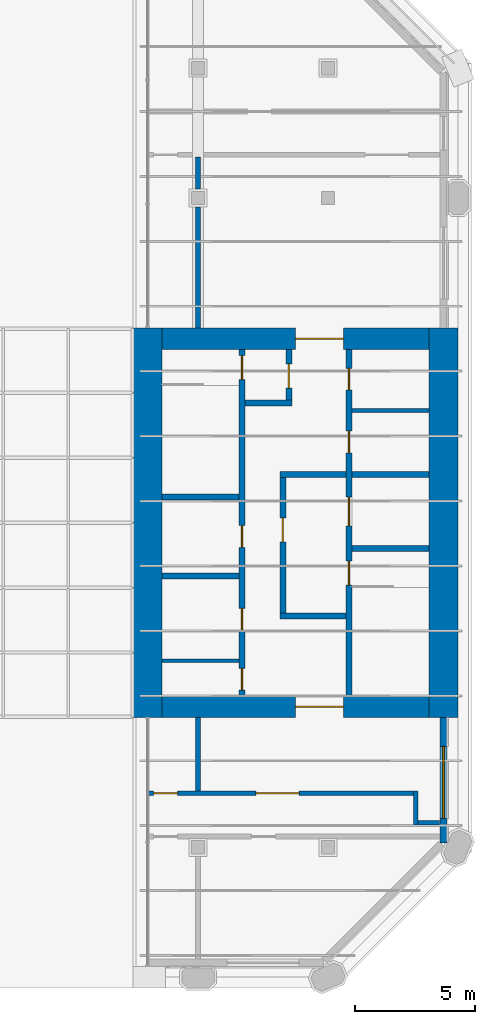
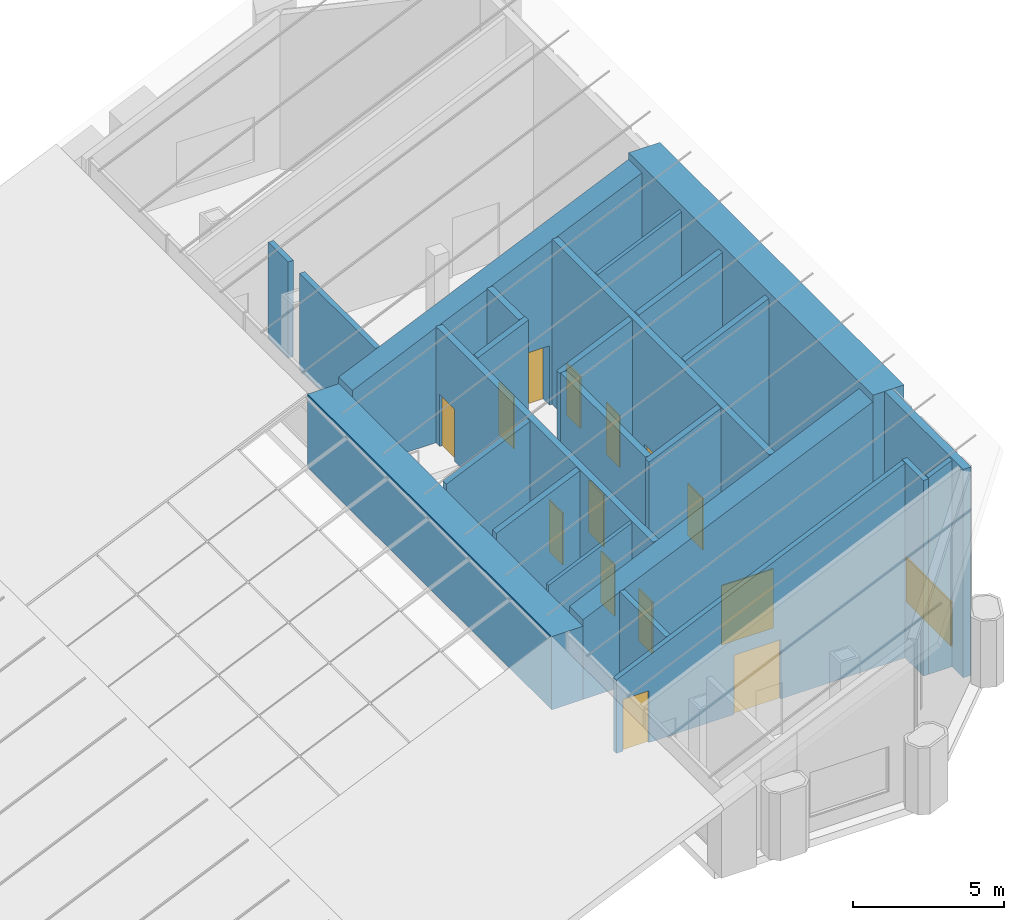
# One storey, part 8 of 10: 24 walls, 14 doors, 1 window, 15 openings.
"""IFC4 building model written with IfcOpenShell, lengths in metres."""

from ifc_helpers import new_model, si_unit, direction, frame, frame_2d, origin, place, context, subcontext, project, spatial, polyline, rectangle, outline, extrude, material, layer, layer_set, type_object, element, fill, save


model = new_model("IFC4")

# Units and contexts
model_context = context("Model", 3, precision=1e-05, world=origin(), true_north=direction((0.0, 1.0)))
body_context = subcontext(model_context, "Body", "Model", "MODEL_VIEW")
ifc_project = project(units=[si_unit("LENGTHUNIT", "METRE"), si_unit("AREAUNIT", "SQUARE_METRE"), si_unit("VOLUMEUNIT", "CUBIC_METRE"), si_unit("PLANEANGLEUNIT", "RADIAN"), si_unit("MASSUNIT", "GRAM", prefix="KILO")], contexts=[model_context])

# Site, building, storey
site_placement = place(None, origin())
site = spatial("IfcSite", under=ifc_project, at=site_placement, CompositionType="ELEMENT")
building_placement = place(site_placement, origin())
building = spatial("IfcBuilding", under=site, at=building_placement, Name="Tabaq Tower and Sports Hall", CompositionType="ELEMENT")
storey_placement = place(building_placement, frame((0.0, 0.0, 335.199951171875)))
storey = spatial("IfcBuildingStorey", under=building, at=storey_placement, Name="L83", CompositionType="ELEMENT", Elevation=335.199951171875)

# Walls
ifc_material_1 = material(Name="Blockwork", Category="masonry")
ifc_layer_1 = layer(ifc_material_1, 0.14990234375)
ifc_layer_set_1 = layer_set([ifc_layer_1], Name="Core room partition 150 Blockwork")
wall_type_1 = type_object("IfcWallType", Name="Core room partition 150 Blockwork", PredefinedType="PARTITIONING", material=ifc_layer_set_1)
wall_1_placement = place(storey_placement, frame((38.800048828125, 28.962890625, 0.0), z_axis=(0.0, 0.0, 1.0), x_axis=(1.0, 0.0, 0.0)))
element("IfcWall", 1, at=wall_1_placement, inside=storey, type_object=wall_type_1, Name="Core room partition E L83", PredefinedType="PARTITIONING", context=body_context, shape_type="SweptSolid", body=[
    extrude(outline(polyline([(0.0, 0.0), (3.199951171875, 0.0), (3.199951171875, 8.166748046875), (0.0, 6.744384765625), (0.0, 0.0)])), frame((0.0, 0.074951171875, 0.0), z_axis=(0.0, -1.0, 0.0), x_axis=(1.0, 0.0, 0.0)), (0.0, 0.0, 1.0), 0.14990234375),
])
wall_2_placement = place(storey_placement, frame((30.89990234375, 18.554931640625, 0.0), z_axis=(0.0, 0.0, 1.0), x_axis=(1.0, 0.0, 0.0)))
element("IfcWall", 2, at=wall_2_placement, inside=storey, type_object=wall_type_1, Name="Core room partition E L83", PredefinedType="PARTITIONING", context=body_context, shape_type="SweptSolid", body=[
    extrude(outline(polyline([(0.0, 0.0), (3.2001953125, 0.0), (3.199951171875, 4.655517578125), (0.0, 3.2333984375), (0.0, 0.0)])), frame((0.0, 0.074951171875, 0.0), z_axis=(0.0, -1.0, 0.0), x_axis=(1.0, 0.0, 0.0)), (0.0, 0.0, 1.0), 0.14990234375),
])
ifc_material_2 = material(Name="Concrete C40/50", Category="concrete")
ifc_layer_2 = layer(ifc_material_2, 1.199951171875)
ifc_layer_set_2 = layer_set([ifc_layer_2], Name="Core wall 1200 Concrete C40/50")
wall_type_2 = type_object("IfcWallType", Name="Core wall 1200 Concrete C40/50", PredefinedType="SOLIDWALL", material=ifc_layer_set_2)
wall_3_placement = place(storey_placement, frame((42.60009765625, 32.39990234375, 0.0), z_axis=(0.0, 0.0, 1.0), x_axis=(0.0, -1.0, 0.0)))
element("IfcWall", 3, at=wall_3_placement, inside=storey, type_object=wall_type_2, Name="Core wall E L83", PredefinedType="SOLIDWALL", context=body_context, shape_type="SweptSolid", body=[
    extrude(rectangle(XDim=16.199951171875, YDim=1.199951171875, at=frame_2d((8.10009765625, 0.0))), origin(), (0.0, 0.0, 1.0), 8.433349609375),
])
wall_4_placement = place(storey_placement, frame((30.300048828125, 16.199951171875, 0.0), z_axis=(0.0, 0.0, 1.0), x_axis=(0.0, 1.0, 0.0)))
element("IfcWall", 4, at=wall_4_placement, inside=storey, type_object=wall_type_2, Name="Core wall E L83", PredefinedType="SOLIDWALL", context=body_context, shape_type="SweptSolid", body=[
    extrude(rectangle(XDim=16.199951171875, YDim=1.199951171875, at=frame_2d((8.10009765625, 0.0))), origin(), (0.0, 0.0, 1.0), 2.966796875),
])

# Wall, opening, door
ifc_material_3 = material(Name="Concrete C40/50", Category="concrete")
ifc_layer_3 = layer(ifc_material_3, 0.89990234375)
ifc_layer_set_3 = layer_set([ifc_layer_3], Name="Core wall 900 Concrete C40/50")
wall_type_3 = type_object("IfcWallType", Name="Core wall 900 Concrete C40/50", PredefinedType="SOLIDWALL", material=ifc_layer_set_3)
wall_5_placement = place(storey_placement, frame((42.0, 16.64990234375, 0.0), z_axis=(0.0, 0.0, 1.0), x_axis=(-1.0, 0.0, 0.0)))
wall_5 = element("IfcWall", 5, at=wall_5_placement, inside=storey, type_object=wall_type_3, Name="Core wall E L83", PredefinedType="SOLIDWALL", context=body_context, shape_type="SweptSolid", body=[
    extrude(outline(polyline([(0.0, 0.0), (11.10009765625, 0.0), (11.10009765625, 3.2333984375), (0.0, 8.166748046875), (0.0, 0.0)])), frame((0.0, 0.449951171875, 0.0), z_axis=(0.0, -1.0, 0.0), x_axis=(1.0, 0.0, 0.0)), (0.0, 0.0, 1.0), 0.89990234375),
])
opening_1_placement = place(wall_5_placement, frame((3.550048828125, 0.0, 0.0)))
opening_1 = element("IfcOpeningElement", 6, at=opening_1_placement, cuts=wall_5, Name="Opening PD-EL83-01", PredefinedType="OPENING", context=body_context, shape_type="SweptSolid", body=[
    extrude(rectangle(XDim=2.0, YDim=2.39990234375, at=frame_2d((1.0, 1.199951171875))), frame((0.0, 0.449951171875, 0.0), z_axis=(0.0, -1.0, 0.0), x_axis=(1.0, 0.0, 0.0)), (0.0, 0.0, 1.0), 0.89990234375),
])
ifc_material_4 = material(Name="Steel fire door", Category="steel")
door_type_1 = type_object("IfcDoorType", Name="Core entrance door 2000", OperationType="DOUBLE_DOOR_SINGLE_SWING", PredefinedType="DOOR", material=ifc_material_4)
door_1_placement = place(opening_1_placement, origin())
door_1 = element("IfcDoor", 7, at=door_1_placement, inside=storey, type_object=door_type_1, Name="Core entrance south E L83", OperationType="DOUBLE_DOOR_SINGLE_SWING", OverallHeight=2.39990234375, OverallWidth=2.0, PredefinedType="DOOR", context=body_context, shape_type="SweptSolid", body=[
    extrude(rectangle(XDim=2.0, YDim=2.39990234375, at=frame_2d((1.0, 1.199951171875))), frame((0.0, 0.02490234375, 0.0), z_axis=(0.0, -1.0, 0.0), x_axis=(1.0, 0.0, 0.0)), (0.0, 0.0, 1.0), 0.050048828125),
])
fill(opening_1, door_1)

wall_6_placement = place(storey_placement, frame((30.89990234375, 31.949951171875, 0.0), z_axis=(0.0, 0.0, 1.0), x_axis=(1.0, 0.0, 0.0)))
wall_6 = element("IfcWall", 8, at=wall_6_placement, inside=storey, type_object=wall_type_3, Name="Core wall E L83", PredefinedType="SOLIDWALL", context=body_context, shape_type="SweptSolid", body=[
    extrude(outline(polyline([(0.0, 0.0), (11.10009765625, 0.0), (11.10009765625, 8.166748046875), (0.0, 3.2333984375), (0.0, 0.0)])), frame((0.0, 0.449951171875, 0.0), z_axis=(0.0, -1.0, 0.0), x_axis=(1.0, 0.0, 0.0)), (0.0, 0.0, 1.0), 0.89990234375),
])
opening_2_placement = place(wall_6_placement, frame((5.550048828125, 0.0, 0.0)))
opening_2 = element("IfcOpeningElement", 9, at=opening_2_placement, cuts=wall_6, Name="Opening PD-EL83-02", PredefinedType="OPENING", context=body_context, shape_type="SweptSolid", body=[
    extrude(rectangle(XDim=2.0, YDim=2.39990234375, at=frame_2d((1.0, 1.199951171875))), frame((0.0, 0.449951171875, 0.0), z_axis=(0.0, -1.0, 0.0), x_axis=(1.0, 0.0, 0.0)), (0.0, 0.0, 1.0), 0.89990234375),
])
door_2_placement = place(opening_2_placement, origin())
door_2 = element("IfcDoor", 10, at=door_2_placement, inside=storey, type_object=door_type_1, Name="Core entrance north E L83", OperationType="DOUBLE_DOOR_SINGLE_SWING", OverallHeight=2.39990234375, OverallWidth=2.0, PredefinedType="DOOR", context=body_context, shape_type="SweptSolid", body=[
    extrude(rectangle(XDim=2.0, YDim=2.39990234375, at=frame_2d((1.0, 1.199951171875))), frame((0.0, 0.02490234375, 0.0), z_axis=(0.0, -1.0, 0.0), x_axis=(1.0, 0.0, 0.0)), (0.0, 0.0, 1.0), 0.050048828125),
])
fill(opening_2, door_2)

# Walls
ifc_material_5 = material(Name="Blockwork", Category="masonry")
ifc_layer_4 = layer(ifc_material_5, 0.199951171875)
ifc_layer_set_4 = layer_set([ifc_layer_4], Name="Fire compartment wall 200 Blockwork")
wall_type_4 = type_object("IfcWallType", Name="Fire compartment wall 200 Blockwork", PredefinedType="PARTITIONING", material=ifc_layer_set_4)
wall_7_placement = place(storey_placement, frame((32.39990234375, 32.39990234375, 0.0), z_axis=(0.0, 0.0, 1.0), x_axis=(0.0, 1.0, 0.0)))
element("IfcWall", 11, at=wall_7_placement, inside=storey, type_object=wall_type_4, Name="Compartment wall L83", PredefinedType="PARTITIONING", context=body_context, shape_type="SweptSolid", body=[
    extrude(rectangle(XDim=5.0244140625, YDim=0.199951171875, at=frame_2d((2.51220703125, 0.0))), origin(), (0.0, 0.0, 1.0), 3.900146484375),
])
wall_8_placement = place(storey_placement, frame((32.39990234375, 38.17578125, 0.0), z_axis=(0.0, 0.0, 1.0), x_axis=(0.0, 1.0, 0.0)))
element("IfcWall", 12, at=wall_8_placement, inside=storey, type_object=wall_type_4, Name="Compartment wall L83", PredefinedType="PARTITIONING", context=body_context, shape_type="SweptSolid", body=[
    extrude(rectangle(XDim=1.32421875, YDim=0.199951171875, at=frame_2d((0.662109375, 0.0))), origin(), (0.0, 0.0, 1.0), 3.900146484375),
])
wall_9_placement = place(storey_placement, frame((32.39990234375, 13.14990234375, 0.0), z_axis=(0.0, 0.0, 1.0), x_axis=(0.0, 1.0, 0.0)))
element("IfcWall", 13, at=wall_9_placement, inside=storey, type_object=wall_type_4, Name="Compartment wall L83", PredefinedType="PARTITIONING", context=body_context, shape_type="SweptSolid", body=[
    extrude(rectangle(XDim=3.050048828125, YDim=0.199951171875, at=frame_2d((1.52490234375, 0.0))), origin(), (0.0, 0.0, 1.0), 3.900146484375),
])

# Wall, openings, doors
wall_10_placement = place(storey_placement, frame((30.300048828125, 13.050048828125, 0.0), z_axis=(0.0, 0.0, 1.0), x_axis=(1.0, 0.0, 0.0)))
wall_10 = element("IfcWall", 14, at=wall_10_placement, inside=storey, type_object=wall_type_4, Name="Compartment wall L83", PredefinedType="PARTITIONING", context=body_context, shape_type="SweptSolid", body=[
    extrude(outline(polyline([(0.0, 0.0), (11.049072265625, 0.0), (11.049072265625, 7.87744140625), (0.0, 2.966796875), (0.0, 0.0)])), frame((0.0, 0.10009765625, 0.0), z_axis=(0.0, -1.0, 0.0), x_axis=(1.0, 0.0, 0.0)), (0.0, 0.0, 1.0), 0.199951171875),
])
opening_3_placement = place(wall_10_placement, frame((0.25, 0.0, 0.0)))
opening_3 = element("IfcOpeningElement", 15, at=opening_3_placement, cuts=wall_10, Name="Opening L83-005", PredefinedType="OPENING", context=body_context, shape_type="SweptSolid", body=[
    extrude(rectangle(XDim=1.0, YDim=2.10009765625, at=frame_2d((0.5, 1.050048828125))), frame((0.0, 0.10009765625, 0.0), z_axis=(0.0, -1.0, 0.0), x_axis=(1.0, 0.0, 0.0)), (0.0, 0.0, 1.0), 0.199951171875),
])
opening_4_placement = place(wall_10_placement, frame((4.5, 0.0, 0.0)))
opening_4 = element("IfcOpeningElement", 16, at=opening_4_placement, cuts=wall_10, Name="Opening L83-007", PredefinedType="OPENING", context=body_context, shape_type="SweptSolid", body=[
    extrude(rectangle(XDim=1.800048828125, YDim=2.39990234375, at=frame_2d((0.89990234375, 1.199951171875))), frame((0.0, 0.10009765625, 0.0), z_axis=(0.0, -1.0, 0.0), x_axis=(1.0, 0.0, 0.0)), (0.0, 0.0, 1.0), 0.199951171875),
])
ifc_material_6 = material(Name="Steel fire door", Category="steel")
door_type_2 = type_object("IfcDoorType", Name="Plant room door 1800", OperationType="DOUBLE_DOOR_SINGLE_SWING", PredefinedType="DOOR", material=ifc_material_6)
door_3_placement = place(opening_4_placement, origin())
door_3 = element("IfcDoor", 17, at=door_3_placement, inside=storey, type_object=door_type_2, Name="Plant room door L83-007", OperationType="DOUBLE_DOOR_SINGLE_SWING", OverallHeight=2.39990234375, OverallWidth=1.800048828125, PredefinedType="DOOR", context=body_context, shape_type="SweptSolid", body=[
    extrude(rectangle(XDim=1.800048828125, YDim=2.39990234375, at=frame_2d((0.89990234375, 1.199951171875))), frame((0.0, 0.02490234375, 0.0), z_axis=(0.0, -1.0, 0.0), x_axis=(1.0, 0.0, 0.0)), (0.0, 0.0, 1.0), 0.050048828125),
])
fill(opening_4, door_3)
ifc_material_7 = material(Name="Steel fire door", Category="steel")
door_type_3 = type_object("IfcDoorType", Name="Riser door 1000 left hand", OperationType="SINGLE_SWING_LEFT", PredefinedType="DOOR", material=ifc_material_7)
door_4_placement = place(opening_3_placement, origin())
door_4 = element("IfcDoor", 18, at=door_4_placement, inside=storey, type_object=door_type_3, Name="Riser door L83-005", OperationType="SINGLE_SWING_LEFT", OverallHeight=2.10009765625, OverallWidth=1.0, PredefinedType="DOOR", context=body_context, shape_type="SweptSolid", body=[
    extrude(rectangle(XDim=1.0, YDim=2.10009765625, at=frame_2d((0.5, 1.050048828125))), frame((0.0, 0.02490234375, 0.0), z_axis=(0.0, -1.0, 0.0), x_axis=(1.0, 0.0, 0.0)), (0.0, 0.0, 1.0), 0.050048828125),
])
fill(opening_3, door_4)

# Walls
wall_11_placement = place(storey_placement, frame((41.448974609375, 13.14990234375, 0.0), z_axis=(0.0, 0.0, 1.0), x_axis=(0.00085543168, -0.999999634118, 0.0)))
element("IfcWall", 19, at=wall_11_placement, inside=storey, type_object=wall_type_4, Name="Compartment wall L83", PredefinedType="PARTITIONING", context=body_context, shape_type="SweptSolid", body=[
    extrude(rectangle(XDim=1.427001953125, YDim=0.199951171875, at=frame_2d((0.71337890625, 0.0))), origin(), (0.0, 0.0, 1.0), 7.92236328125),
])
wall_12_placement = place(storey_placement, frame((41.550048828125, 11.822998046875, 0.0), z_axis=(0.0, 0.0, 1.0), x_axis=(1.0, 0.0, 0.0)))
element("IfcWall", 20, at=wall_12_placement, inside=storey, type_object=wall_type_4, Name="Compartment wall L83", PredefinedType="PARTITIONING", context=body_context, shape_type="SweptSolid", body=[
    extrude(outline(polyline([(0.0, 0.0), (0.89990234375, 0.0), (0.89990234375, 8.36669921875), (0.0, 7.966796875), (0.0, 0.0)])), frame((0.0, 0.10009765625, 0.0), z_axis=(0.0, -1.0, 0.0), x_axis=(1.0, 0.0, 0.0)), (0.0, 0.0, 1.0), 0.199951171875),
])

# Wall, openings, doors
ifc_material_8 = material(Name="Concrete C40/50", Category="concrete")
ifc_layer_5 = layer(ifc_material_8, 0.25)
ifc_layer_set_5 = layer_set([ifc_layer_5], Name="Shaft and stair wall 250 Concrete C40/50")
wall_type_5 = type_object("IfcWallType", Name="Shaft and stair wall 250 Concrete C40/50", PredefinedType="SOLIDWALL", material=ifc_layer_set_5)
wall_13_placement = place(storey_placement, frame((38.675048828125, 17.10009765625, 0.0), z_axis=(0.0, 0.0, 1.0), x_axis=(0.0, 1.0, 0.0)))
wall_13 = element("IfcWall", 21, at=wall_13_placement, inside=storey, type_object=wall_type_5, Name="Shaft wall E L83", PredefinedType="SOLIDWALL", context=body_context, shape_type="SweptSolid", body=[
    extrude(rectangle(XDim=14.39990234375, YDim=0.25, at=frame_2d((7.199951171875, 0.0))), origin(), (0.0, 0.0, 1.0), 6.68896484375),
])
opening_5_placement = place(wall_13_placement, frame((4.60009765625, 0.0, 0.0)))
opening_5 = element("IfcOpeningElement", 22, at=opening_5_placement, cuts=wall_13, Name="Opening SD-EL83-03", PredefinedType="OPENING", context=body_context, shape_type="SweptSolid", body=[
    extrude(rectangle(XDim=1.0, YDim=2.10009765625, at=frame_2d((0.5, 1.050048828125))), frame((0.0, 0.125, 0.0), z_axis=(0.0, -1.0, 0.0), x_axis=(1.0, 0.0, 0.0)), (0.0, 0.0, 1.0), 0.25),
])
opening_6_placement = place(wall_13_placement, frame((7.0625, 0.0, 0.0)))
opening_6 = element("IfcOpeningElement", 23, at=opening_6_placement, cuts=wall_13, Name="Opening LD-FF2-L83", PredefinedType="OPENING", context=body_context, shape_type="SweptSolid", body=[
    extrude(rectangle(XDim=1.199951171875, YDim=2.10009765625, at=frame_2d((0.60009765625, 1.050048828125))), frame((0.0, 0.125, 0.0), z_axis=(0.0, -1.0, 0.0), x_axis=(1.0, 0.0, 0.0)), (0.0, 0.0, 1.0), 0.25),
])
opening_7_placement = place(wall_13_placement, frame((10.1064453125, 0.0, 0.0)))
opening_7 = element("IfcOpeningElement", 24, at=opening_7_placement, cuts=wall_13, Name="Opening RD-EL83-08", PredefinedType="OPENING", context=body_context, shape_type="SweptSolid", body=[
    extrude(rectangle(XDim=0.89990234375, YDim=2.10009765625, at=frame_2d((0.449951171875, 1.050048828125))), frame((0.0, 0.125, 0.0), z_axis=(0.0, -1.0, 0.0), x_axis=(1.0, 0.0, 0.0)), (0.0, 0.0, 1.0), 0.25),
])
opening_8_placement = place(wall_13_placement, frame((12.718994140625, 0.0, 0.0)))
opening_8 = element("IfcOpeningElement", 25, at=opening_8_placement, cuts=wall_13, Name="Opening RD-EL83-09", PredefinedType="OPENING", context=body_context, shape_type="SweptSolid", body=[
    extrude(rectangle(XDim=0.89990234375, YDim=2.10009765625, at=frame_2d((0.449951171875, 1.050048828125))), frame((0.0, 0.125, 0.0), z_axis=(0.0, -1.0, 0.0), x_axis=(1.0, 0.0, 0.0)), (0.0, 0.0, 1.0), 0.25),
])
ifc_material_9 = material(Name="Steel fire door", Category="steel")
door_type_4 = type_object("IfcDoorType", Name="Core room door 900", OperationType="SINGLE_SWING_LEFT", PredefinedType="DOOR", material=ifc_material_9)
door_5_placement = place(opening_7_placement, origin())
door_5 = element("IfcDoor", 26, at=door_5_placement, inside=storey, type_object=door_type_4, Name="Door Store Room E L83", OperationType="SINGLE_SWING_LEFT", OverallHeight=2.10009765625, OverallWidth=0.89990234375, PredefinedType="DOOR", context=body_context, shape_type="SweptSolid", body=[
    extrude(rectangle(XDim=0.89990234375, YDim=2.10009765625, at=frame_2d((0.449951171875, 1.050048828125))), frame((0.0, 0.02490234375, 0.0), z_axis=(0.0, -1.0, 0.0), x_axis=(1.0, 0.0, 0.0)), (0.0, 0.0, 1.0), 0.050048828125),
])
fill(opening_7, door_5)
door_6_placement = place(opening_8_placement, origin())
door_6 = element("IfcDoor", 27, at=door_6_placement, inside=storey, type_object=door_type_4, Name="Door Riser Room E L83", OperationType="SINGLE_SWING_LEFT", OverallHeight=2.10009765625, OverallWidth=0.89990234375, PredefinedType="DOOR", context=body_context, shape_type="SweptSolid", body=[
    extrude(rectangle(XDim=0.89990234375, YDim=2.10009765625, at=frame_2d((0.449951171875, 1.050048828125))), frame((0.0, 0.02490234375, 0.0), z_axis=(0.0, -1.0, 0.0), x_axis=(1.0, 0.0, 0.0)), (0.0, 0.0, 1.0), 0.050048828125),
])
fill(opening_8, door_6)
ifc_material_10 = material(Name="Stainless steel", Category="steel")
door_type_5 = type_object("IfcDoorType", Name="Lift landing door 1200", OperationType="DOUBLE_DOOR_SLIDING", PredefinedType="DOOR", material=ifc_material_10)
door_7_placement = place(opening_6_placement, origin())
door_7 = element("IfcDoor", 28, at=door_7_placement, inside=storey, type_object=door_type_5, Name="Lift landing door FF2 E L83", OperationType="DOUBLE_DOOR_SLIDING", OverallHeight=2.10009765625, OverallWidth=1.199951171875, PredefinedType="DOOR", context=body_context, shape_type="SweptSolid", body=[
    extrude(rectangle(XDim=1.199951171875, YDim=2.10009765625, at=frame_2d((0.60009765625, 1.050048828125))), frame((0.0, 0.02490234375, 0.0), z_axis=(0.0, -1.0, 0.0), x_axis=(1.0, 0.0, 0.0)), (0.0, 0.0, 1.0), 0.050048828125),
])
fill(opening_6, door_7)
ifc_material_11 = material(Name="Steel fire door", Category="steel")
door_type_6 = type_object("IfcDoorType", Name="Stair door 1000", OperationType="SINGLE_SWING_LEFT", PredefinedType="DOOR", material=ifc_material_11)
door_8_placement = place(opening_5_placement, origin())
door_8 = element("IfcDoor", 29, at=door_8_placement, inside=storey, type_object=door_type_6, Name="Stair door ST3 E L83", OperationType="SINGLE_SWING_LEFT", OverallHeight=2.10009765625, OverallWidth=1.0, PredefinedType="DOOR", context=body_context, shape_type="SweptSolid", body=[
    extrude(rectangle(XDim=1.0, YDim=2.10009765625, at=frame_2d((0.5, 1.050048828125))), frame((0.0, 0.02490234375, 0.0), z_axis=(0.0, -1.0, 0.0), x_axis=(1.0, 0.0, 0.0)), (0.0, 0.0, 1.0), 0.050048828125),
])
fill(opening_5, door_8)

wall_14_placement = place(storey_placement, frame((34.22509765625, 17.10009765625, 0.0), z_axis=(0.0, 0.0, 1.0), x_axis=(0.0, 1.0, 0.0)))
wall_14 = element("IfcWall", 30, at=wall_14_placement, inside=storey, type_object=wall_type_5, Name="Shaft wall E L83", PredefinedType="SOLIDWALL", context=body_context, shape_type="SweptSolid", body=[
    extrude(rectangle(XDim=14.39990234375, YDim=0.25, at=frame_2d((7.199951171875, 0.0))), origin(), (0.0, 0.0, 1.0), 4.711181640625),
])
opening_9_placement = place(wall_14_placement, frame((13.14990234375, 0.0, 0.0)))
opening_9 = element("IfcOpeningElement", 31, at=opening_9_placement, cuts=wall_14, Name="Opening SD-EL83-05", PredefinedType="OPENING", context=body_context, shape_type="SweptSolid", body=[
    extrude(rectangle(XDim=1.0, YDim=2.10009765625, at=frame_2d((0.5, 1.050048828125))), frame((0.0, 0.125, 0.0), z_axis=(0.0, -1.0, 0.0), x_axis=(1.0, 0.0, 0.0)), (0.0, 0.0, 1.0), 0.25),
])
opening_10_placement = place(wall_14_placement, frame((0.239990234375, 0.0, 0.0)))
opening_10 = element("IfcOpeningElement", 32, at=opening_10_placement, cuts=wall_14, Name="Opening RD-EL83-10", PredefinedType="OPENING", context=body_context, shape_type="SweptSolid", body=[
    extrude(rectangle(XDim=0.89990234375, YDim=2.10009765625, at=frame_2d((0.449951171875, 1.050048828125))), frame((0.0, 0.125, 0.0), z_axis=(0.0, -1.0, 0.0), x_axis=(1.0, 0.0, 0.0)), (0.0, 0.0, 1.0), 0.25),
])
opening_11_placement = place(wall_14_placement, frame((2.739990234375, 0.0, 0.0)))
opening_11 = element("IfcOpeningElement", 33, at=opening_11_placement, cuts=wall_14, Name="Opening RD-EL83-11", PredefinedType="OPENING", context=body_context, shape_type="SweptSolid", body=[
    extrude(rectangle(XDim=0.89990234375, YDim=2.10009765625, at=frame_2d((0.449951171875, 1.050048828125))), frame((0.0, 0.125, 0.0), z_axis=(0.0, -1.0, 0.0), x_axis=(1.0, 0.0, 0.0)), (0.0, 0.0, 1.0), 0.25),
])
opening_12_placement = place(wall_14_placement, frame((6.175048828125, 0.0, 0.0)))
opening_12 = element("IfcOpeningElement", 34, at=opening_12_placement, cuts=wall_14, Name="Opening RD-EL83-12", PredefinedType="OPENING", context=body_context, shape_type="SweptSolid", body=[
    extrude(rectangle(XDim=0.89990234375, YDim=2.10009765625, at=frame_2d((0.449951171875, 1.050048828125))), frame((0.0, 0.125, 0.0), z_axis=(0.0, -1.0, 0.0), x_axis=(1.0, 0.0, 0.0)), (0.0, 0.0, 1.0), 0.25),
])
door_9_placement = place(opening_10_placement, origin())
door_9 = element("IfcDoor", 35, at=door_9_placement, inside=storey, type_object=door_type_4, Name="Door Mechanical Plant Room E L83", OperationType="SINGLE_SWING_LEFT", OverallHeight=2.10009765625, OverallWidth=0.89990234375, PredefinedType="DOOR", context=body_context, shape_type="SweptSolid", body=[
    extrude(rectangle(XDim=0.89990234375, YDim=2.10009765625, at=frame_2d((0.449951171875, 1.050048828125))), frame((0.0, 0.02490234375, 0.0), z_axis=(0.0, -1.0, 0.0), x_axis=(1.0, 0.0, 0.0)), (0.0, 0.0, 1.0), 0.050048828125),
])
fill(opening_10, door_9)
door_10_placement = place(opening_11_placement, origin())
door_10 = element("IfcDoor", 36, at=door_10_placement, inside=storey, type_object=door_type_4, Name="Door Electrical Plant Room E L83", OperationType="SINGLE_SWING_LEFT", OverallHeight=2.10009765625, OverallWidth=0.89990234375, PredefinedType="DOOR", context=body_context, shape_type="SweptSolid", body=[
    extrude(rectangle(XDim=0.89990234375, YDim=2.10009765625, at=frame_2d((0.449951171875, 1.050048828125))), frame((0.0, 0.02490234375, 0.0), z_axis=(0.0, -1.0, 0.0), x_axis=(1.0, 0.0, 0.0)), (0.0, 0.0, 1.0), 0.050048828125),
])
fill(opening_11, door_10)
door_11_placement = place(opening_12_placement, origin())
door_11 = element("IfcDoor", 37, at=door_11_placement, inside=storey, type_object=door_type_4, Name="Door Riser Room E L83", OperationType="SINGLE_SWING_LEFT", OverallHeight=2.10009765625, OverallWidth=0.89990234375, PredefinedType="DOOR", context=body_context, shape_type="SweptSolid", body=[
    extrude(rectangle(XDim=0.89990234375, YDim=2.10009765625, at=frame_2d((0.449951171875, 1.050048828125))), frame((0.0, 0.02490234375, 0.0), z_axis=(0.0, -1.0, 0.0), x_axis=(1.0, 0.0, 0.0)), (0.0, 0.0, 1.0), 0.050048828125),
])
fill(opening_12, door_11)
door_12_placement = place(opening_9_placement, origin())
door_12 = element("IfcDoor", 38, at=door_12_placement, inside=storey, type_object=door_type_6, Name="Stair door ST4 E L83", OperationType="SINGLE_SWING_LEFT", OverallHeight=2.10009765625, OverallWidth=1.0, PredefinedType="DOOR", context=body_context, shape_type="SweptSolid", body=[
    extrude(rectangle(XDim=1.0, YDim=2.10009765625, at=frame_2d((0.5, 1.050048828125))), frame((0.0, 0.02490234375, 0.0), z_axis=(0.0, -1.0, 0.0), x_axis=(1.0, 0.0, 0.0)), (0.0, 0.0, 1.0), 0.050048828125),
])
fill(opening_9, door_12)

# Walls
wall_15_placement = place(storey_placement, frame((38.800048828125, 23.22509765625, 0.0), z_axis=(0.0, 0.0, 1.0), x_axis=(1.0, 0.0, 0.0)))
element("IfcWall", 39, at=wall_15_placement, inside=storey, type_object=wall_type_5, Name="Stair enclosure wall E L83", PredefinedType="SOLIDWALL", context=body_context, shape_type="SweptSolid", body=[
    extrude(outline(polyline([(0.0, 0.0), (3.199951171875, 0.0), (3.199951171875, 8.166748046875), (0.0, 6.744384765625), (0.0, 0.0)])), frame((0.0, 0.125, 0.0), z_axis=(0.0, -1.0, 0.0), x_axis=(1.0, 0.0, 0.0)), (0.0, 0.0, 1.0), 0.25),
])
for number, where, z_axis, x_axis, name in (
    (40, (30.89990234375, 25.375, 0.0), (0.0, 0.0, 1.0), (1.0, 0.0, 0.0), "Stair enclosure wall E L83"),
    (41, (30.89990234375, 22.074951171875, 0.0), (0.0, 0.0, 1.0), (1.0, 0.0, 0.0), "Shaft wall E L83"),
):
    element("IfcWall", number, at=place(storey_placement, frame(where, z_axis=z_axis, x_axis=x_axis)), inside=storey, type_object=wall_type_5, Name=name, PredefinedType="SOLIDWALL", context=body_context, shape_type="SweptSolid", body=[
        extrude(outline(polyline([(0.0, 0.0), (3.2001953125, 0.0), (3.199951171875, 4.655517578125), (0.0, 3.2333984375), (0.0, 0.0)])), frame((0.0, 0.125, 0.0), z_axis=(0.0, -1.0, 0.0), x_axis=(1.0, 0.0, 0.0)), (0.0, 0.0, 1.0), 0.25),
    ])
wall_16_placement = place(storey_placement, frame((38.800048828125, 26.300048828125, 0.0), z_axis=(0.0, 0.0, 1.0), x_axis=(1.0, 0.0, 0.0)))
element("IfcWall", 42, at=wall_16_placement, inside=storey, type_object=wall_type_5, Name="Shaft wall E L83", PredefinedType="SOLIDWALL", context=body_context, shape_type="SweptSolid", body=[
    extrude(outline(polyline([(0.0, 0.0), (3.199951171875, 0.0), (3.199951171875, 8.166748046875), (0.0, 6.744384765625), (0.0, 0.0)])), frame((0.0, 0.125, 0.0), z_axis=(0.0, -1.0, 0.0), x_axis=(1.0, 0.0, 0.0)), (0.0, 0.0, 1.0), 0.25),
])
for number, where, z_axis, x_axis, name in (
    (43, (35.800048828125, 26.300048828125, 0.0), (0.0, 0.0, 1.0), (1.0, 0.0, 0.0), "Fire-fighting lobby wall E L83"),
    (44, (35.800048828125, 20.425048828125, 0.0), (0.0, 0.0, 1.0), (1.0, 0.0, 0.0), "Fire-fighting lobby wall E L83"),
):
    element("IfcWall", number, at=place(storey_placement, frame(where, z_axis=z_axis, x_axis=x_axis)), inside=storey, type_object=wall_type_5, Name=name, PredefinedType="SOLIDWALL", context=body_context, shape_type="SweptSolid", body=[
        extrude(outline(polyline([(0.0, 0.0), (2.75, 0.0), (2.75, 6.63330078125), (0.0, 5.4111328125), (0.0, 0.0)])), frame((0.0, 0.125, 0.0), z_axis=(0.0, -1.0, 0.0), x_axis=(1.0, 0.0, 0.0)), (0.0, 0.0, 1.0), 0.25),
    ])

# Wall, opening, door
wall_17_placement = place(storey_placement, frame((36.175048828125, 29.39990234375, 0.0), z_axis=(0.0, 0.0, 1.0), x_axis=(0.0, 1.0, 0.0)))
wall_17 = element("IfcWall", 45, at=wall_17_placement, inside=storey, type_object=wall_type_5, Name="Fire-fighting lobby wall E L83", PredefinedType="SOLIDWALL", context=body_context, shape_type="SweptSolid", body=[
    extrude(rectangle(XDim=2.10009765625, YDim=0.25, at=frame_2d((1.050048828125, 0.0))), origin(), (0.0, 0.0, 1.0), 5.577880859375),
])
opening_13_placement = place(wall_17_placement, frame((0.5, 0.0, 0.0)))
opening_13 = element("IfcOpeningElement", 46, at=opening_13_placement, cuts=wall_17, Name="Opening FD-EL83-06", PredefinedType="OPENING", context=body_context, shape_type="SweptSolid", body=[
    extrude(rectangle(XDim=1.0, YDim=2.10009765625, at=frame_2d((0.5, 1.050048828125))), frame((0.0, 0.125, 0.0), z_axis=(0.0, -1.0, 0.0), x_axis=(1.0, 0.0, 0.0)), (0.0, 0.0, 1.0), 0.25),
])
ifc_material_12 = material(Name="Steel fire door", Category="steel")
door_type_7 = type_object("IfcDoorType", Name="Fire-fighting lobby door 1000", OperationType="SINGLE_SWING_LEFT", PredefinedType="DOOR", material=ifc_material_12)
door_13_placement = place(opening_13_placement, origin())
door_13 = element("IfcDoor", 47, at=door_13_placement, inside=storey, type_object=door_type_7, Name="Stair lobby door E L83", OperationType="SINGLE_SWING_LEFT", OverallHeight=2.10009765625, OverallWidth=1.0, PredefinedType="DOOR", context=body_context, shape_type="SweptSolid", body=[
    extrude(rectangle(XDim=1.0, YDim=2.10009765625, at=frame_2d((0.5, 1.050048828125))), frame((0.0, 0.02490234375, 0.0), z_axis=(0.0, -1.0, 0.0), x_axis=(1.0, 0.0, 0.0)), (0.0, 0.0, 1.0), 0.050048828125),
])
fill(opening_13, door_13)

# Wall
wall_18_placement = place(storey_placement, frame((34.35009765625, 29.27490234375, 0.0), z_axis=(0.0, 0.0, 1.0), x_axis=(1.0, 0.0, 0.0)))
element("IfcWall", 48, at=wall_18_placement, inside=storey, type_object=wall_type_5, Name="Fire-fighting lobby wall E L83", PredefinedType="SOLIDWALL", context=body_context, shape_type="SweptSolid", body=[
    extrude(outline(polyline([(0.0, 0.0), (1.949951171875, 0.0), (1.949951171875, 5.63330078125), (0.0, 4.7666015625), (0.0, 0.0)])), frame((0.0, 0.125, 0.0), z_axis=(0.0, -1.0, 0.0), x_axis=(1.0, 0.0, 0.0)), (0.0, 0.0, 1.0), 0.25),
])

# Wall, opening, door
wall_19_placement = place(storey_placement, frame((35.925048828125, 20.550048828125, 0.0), z_axis=(0.0, 0.0, 1.0), x_axis=(0.0, 1.0, 0.0)))
wall_19 = element("IfcWall", 49, at=wall_19_placement, inside=storey, type_object=wall_type_5, Name="Fire-fighting lobby wall E L83", PredefinedType="SOLIDWALL", context=body_context, shape_type="SweptSolid", body=[
    extrude(rectangle(XDim=5.625, YDim=0.25, at=frame_2d((2.8125, 0.0))), origin(), (0.0, 0.0, 1.0), 5.466796875),
])
opening_14_placement = place(wall_19_placement, frame((2.949951171875, 0.0, 0.0)))
opening_14 = element("IfcOpeningElement", 50, at=opening_14_placement, cuts=wall_19, Name="Opening FD-EL83-04", PredefinedType="OPENING", context=body_context, shape_type="SweptSolid", body=[
    extrude(rectangle(XDim=1.0, YDim=2.10009765625, at=frame_2d((0.5, 1.050048828125))), frame((0.0, 0.125, 0.0), z_axis=(0.0, -1.0, 0.0), x_axis=(1.0, 0.0, 0.0)), (0.0, 0.0, 1.0), 0.25),
])
door_14_placement = place(opening_14_placement, origin())
door_14 = element("IfcDoor", 51, at=door_14_placement, inside=storey, type_object=door_type_7, Name="Fire-fighting lobby door E L83", OperationType="SINGLE_SWING_LEFT", OverallHeight=2.10009765625, OverallWidth=1.0, PredefinedType="DOOR", context=body_context, shape_type="SweptSolid", body=[
    extrude(rectangle(XDim=1.0, YDim=2.10009765625, at=frame_2d((0.5, 1.050048828125))), frame((0.0, 0.02490234375, 0.0), z_axis=(0.0, -1.0, 0.0), x_axis=(1.0, 0.0, 0.0)), (0.0, 0.0, 1.0), 0.050048828125),
])
fill(opening_14, door_14)

# Wall, opening, window
ifc_material_13 = material(Name="White precast concrete C60/75", Category="concrete")
ifc_layer_6 = layer(ifc_material_13, 0.300048828125)
ifc_layer_set_6 = layer_set([ifc_layer_6], Name="White precast concrete C60/75 external wall 300")
wall_type_6 = type_object("IfcWallType", Name="White precast concrete C60/75 external wall 300", PredefinedType="SOLIDWALL", material=ifc_layer_set_6)
wall_20_placement = place(storey_placement, frame((42.60009765625, 10.986328125, 0.0), z_axis=(0.0, 0.0, 1.0), x_axis=(0.0, 1.0, 0.0)))
wall_20 = element("IfcWall", 52, at=wall_20_placement, inside=storey, type_object=wall_type_6, Name="External Wall L83 E", PredefinedType="SOLIDWALL", context=body_context, shape_type="SweptSolid", body=[
    extrude(outline(polyline([(0.0, 0.0), (5.213623046875, 0.0), (5.213623046875, 8.433349609375), (4.63427734375, 8.433349609375), (4.054931640625, 8.433349609375), (3.475830078125, 8.433349609375), (2.896484375, 8.433349609375), (2.317138671875, 8.433349609375), (1.73779296875, 8.433349609375), (1.15869140625, 8.433349609375), (0.579345703125, 8.433349609375), (0.0, 8.433349609375), (0.0, 0.0)])), frame((0.0, 0.14990234375, 0.0), z_axis=(0.0, -1.0, 0.0), x_axis=(1.0, 0.0, 0.0)), (0.0, 0.0, 1.0), 0.300048828125),
])
opening_15_placement = place(wall_20_placement, frame((1.013671875, 0.0, 0.60009765625)))
opening_15 = element("IfcOpeningElement", 53, at=opening_15_placement, cuts=wall_20, Name="Opening LV1", PredefinedType="OPENING", context=body_context, shape_type="SweptSolid", body=[
    extrude(rectangle(XDim=3.0, YDim=1.800048828125, at=frame_2d((1.5, 0.89990234375))), frame((0.0, 0.16015625, 0.0), z_axis=(0.0, -1.0, 0.0), x_axis=(1.0, 0.0, 0.0)), (0.0, 0.0, 1.0), 0.320068359375),
])
ifc_material_14 = material(Name="Aluminium alloy 6063-T6 louvre blades", Category="aluminium")
window_type = type_object("IfcWindowType", Name="Plant louvre LV1", PartitioningType="SINGLE_PANEL", PredefinedType="WINDOW", material=ifc_material_14)
window_placement = place(opening_15_placement, origin())
window = element("IfcWindow", 54, at=window_placement, inside=storey, type_object=window_type, Name="Plant louvre L83", OverallHeight=1.800048828125, OverallWidth=3.0, PartitioningType="SINGLE_PANEL", PredefinedType="WINDOW", context=body_context, shape_type="SweptSolid", body=[
    extrude(rectangle(XDim=3.0, YDim=1.800048828125, at=frame_2d((1.5, 0.89990234375))), frame((0.0, 0.030029296875, 0.0), z_axis=(0.0, -1.0, 0.0), x_axis=(1.0, 0.0, 0.0)), (0.0, 0.0, 1.0), 0.06005859375),
])
fill(opening_15, window)

save(model, "model.ifc")
